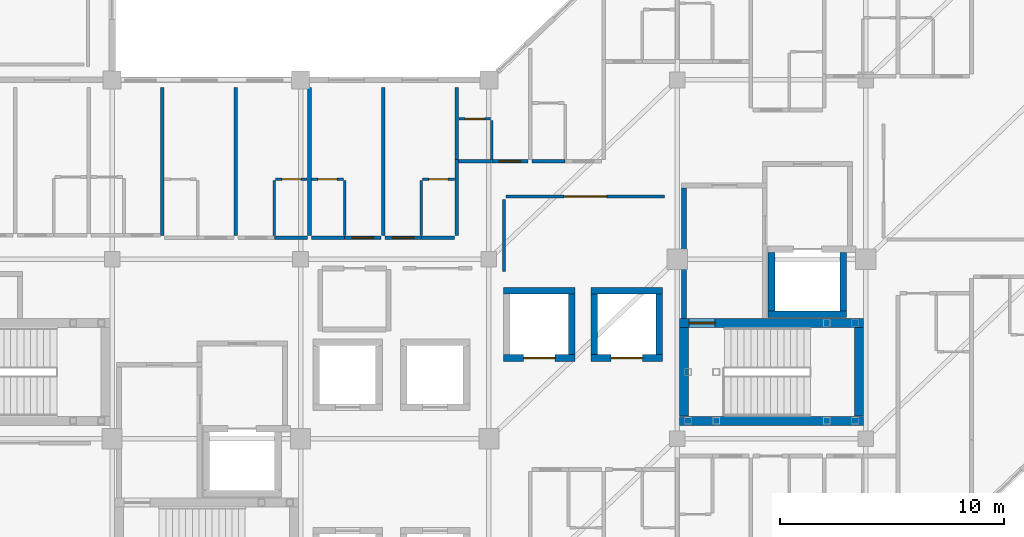
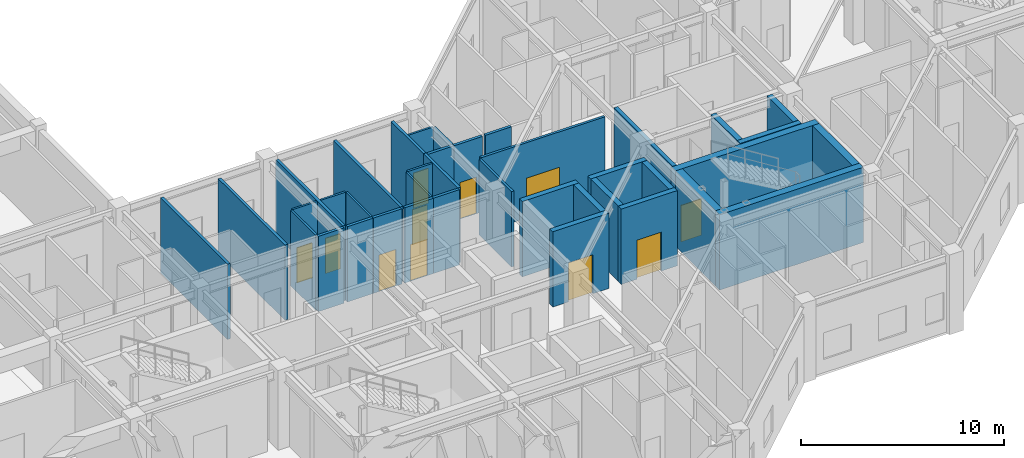
# One storey, part 27 of 37: 39 walls, 11 doors, 11 openings.
"""IFC4 building model written with IfcOpenShell, lengths in metres."""

from ifc_helpers import new_model, si_unit, direction, frame, frame_2d, origin, place, context, subcontext, project, spatial, rectangle, extrude, material, layer, layer_set, type_object, element, fill, save


model = new_model("IFC4")

# Units and contexts
model_context = context("Model", 3, precision=1e-05, world=origin(), true_north=direction((0.0, 1.0)))
body_context = subcontext(model_context, "Body", "Model", "MODEL_VIEW")
ifc_project = project(units=[si_unit("LENGTHUNIT", "METRE"), si_unit("AREAUNIT", "SQUARE_METRE"), si_unit("VOLUMEUNIT", "CUBIC_METRE"), si_unit("PLANEANGLEUNIT", "RADIAN"), si_unit("MASSUNIT", "GRAM", prefix="KILO")], contexts=[model_context])

# Site, building, storey
site_placement = place(None, origin())
site = spatial("IfcSite", under=ifc_project, at=site_placement, CompositionType="ELEMENT")
building_placement = place(site_placement, origin())
building = spatial("IfcBuilding", under=site, at=building_placement, Name="Naruveol Harbour Congress Hotel", CompositionType="ELEMENT")
storey_placement = place(building_placement, frame((0.0, 0.0, 16.199951171875)))
storey = spatial("IfcBuildingStorey", under=building, at=storey_placement, Name="L03", CompositionType="ELEMENT", Elevation=16.199951171875)

# Wall, opening, door
ifc_material_1 = material(Name="Acoustic Double Stud Gypsum", Category="gypsum")
ifc_layer_1 = layer(ifc_material_1, 0.139892578125)
ifc_layer_set_1 = layer_set([ifc_layer_1], Name="Acoustic Double Stud Gypsum")
wall_type_1 = type_object("IfcWallType", Name="ACOUSTIC MEETING PARTITION WALL 140", PredefinedType="PARTITIONING", material=ifc_layer_set_1)
wall_1_placement = place(storey_placement, frame((143.56005859375, 26.800048828125, 0.0), z_axis=(0.0, 0.0, 1.0), x_axis=(1.0, 0.0, 0.0)))
wall_1 = element("IfcWall", 1, at=wall_1_placement, inside=storey, type_object=wall_type_1, Name="Harbour Study Salon north entry wall PW-140", PredefinedType="PARTITIONING", context=body_context, shape_type="SweptSolid", body=[
    extrude(rectangle(XDim=7.079833984375, YDim=0.139892578125, at=frame_2d((3.5400390625, 0.0))), origin(), (0.0, 0.0, 1.0), 4.53515625),
])
opening_1_placement = place(wall_1_placement, frame((2.590087890625, 0.0, 0.0)))
opening_1 = element("IfcOpeningElement", 2, at=opening_1_placement, cuts=wall_1, Name="Opening ID-LG-93", PredefinedType="OPENING", context=body_context, shape_type="SweptSolid", body=[
    extrude(rectangle(XDim=1.89990234375, YDim=2.39990234375, at=frame_2d((0.949951171875, 1.199951171875))), frame((0.0, 0.079833984375, 0.0), z_axis=(0.0, -1.0, 0.0), x_axis=(1.0, 0.0, 0.0)), (0.0, 0.0, 1.0), 0.159912109375),
])
ifc_material_2 = material(Name="Timber & Steel Acoustic Leaf", Category="steel")
door_type_1 = type_object("IfcDoorType", Name="RESTAURANT AND LOUNGE GLAZED DOOR 1900X2400", OperationType="DOUBLE_DOOR_SINGLE_SWING", PredefinedType="DOOR", material=ifc_material_2)
door_1_placement = place(opening_1_placement, origin())
door_1 = element("IfcDoor", 3, at=door_1_placement, inside=storey, type_object=door_type_1, Name="Harbour Study Salon Entrance Door", OperationType="DOUBLE_DOOR_SINGLE_SWING", OverallHeight=2.39990234375, OverallWidth=1.89990234375, PredefinedType="DOOR", context=body_context, shape_type="SweptSolid", body=[
    extrude(rectangle(XDim=1.89990234375, YDim=2.39990234375, at=frame_2d((0.949951171875, 1.199951171875))), frame((0.0, 0.02490234375, 0.0), z_axis=(0.0, -1.0, 0.0), x_axis=(1.0, 0.0, 0.0)), (0.0, 0.0, 1.0), 0.050048828125),
])
fill(opening_1, door_1)

# Walls
wall_2_placement = place(storey_placement, frame((143.47998046875, 23.449951171875, 0.0), z_axis=(0.0, 0.0, 1.0), x_axis=(0.0, 1.0, 0.0)))
element("IfcWall", 4, at=wall_2_placement, inside=storey, type_object=wall_type_1, Name="Harbour Study Salon west partition PW-140", PredefinedType="PARTITIONING", context=body_context, shape_type="SweptSolid", body=[
    extrude(rectangle(XDim=3.2099609375, YDim=0.139892578125, at=frame_2d((1.60498046875, 0.0))), origin(), (0.0, 0.0, 1.0), 4.53515625),
])
ifc_material_3 = material(Name="Moisture-Resistant Gypsum Partition", Category="gypsum")
ifc_layer_2 = layer(ifc_material_3, 0.114990234375)
ifc_layer_set_2 = layer_set([ifc_layer_2], Name="Moisture-Resistant Gypsum Partition")
wall_type_2 = type_object("IfcWallType", Name="BATHROOM MOISTURE PARTITION WALL 115", PredefinedType="PARTITIONING", material=ifc_layer_set_2)
wall_3_placement = place(storey_placement, frame((133.22998046875, 25.06005859375, 0.0), z_axis=(0.0, 0.0, 1.0), x_axis=(0.0, 1.0, 0.0)))
element("IfcWall", 5, at=wall_3_placement, inside=storey, type_object=wall_type_2, Name="Bathroom west wall 0461 PW-115", PredefinedType="PARTITIONING", context=body_context, shape_type="SweptSolid", body=[
    extrude(rectangle(XDim=2.449951171875, YDim=0.114990234375, at=frame_2d((1.22509765625, 0.0))), origin(), (0.0, 0.0, 1.0), 4.53515625),
])

# Wall, opening, door
wall_4_placement = place(storey_placement, frame((133.2900390625, 27.570068359375, 0.0), z_axis=(0.0, 0.0, 1.0), x_axis=(1.0, 0.0, 0.0)))
wall_4 = element("IfcWall", 6, at=wall_4_placement, inside=storey, type_object=wall_type_2, Name="Bathroom north wall 0461 PW-115", PredefinedType="PARTITIONING", context=body_context, shape_type="SweptSolid", body=[
    extrude(rectangle(XDim=1.409912109375, YDim=0.114990234375, at=frame_2d((0.705078125, 0.0))), origin(), (0.0, 0.0, 1.0), 4.53515625),
])
opening_2_placement = place(wall_4_placement, frame((0.27490234375, 0.0, 0.0)))
opening_2 = element("IfcOpeningElement", 7, at=opening_2_placement, cuts=wall_4, Name="Opening BD-RM0461", PredefinedType="OPENING", context=body_context, shape_type="SweptSolid", body=[
    extrude(rectangle(XDim=0.860107421875, YDim=2.1201171875, at=frame_2d((0.43017578125, 1.06005859375))), frame((0.0, 0.0673828125, 0.0), z_axis=(0.0, -1.0, 0.0), x_axis=(1.0, 0.0, 0.0)), (0.0, 0.0, 1.0), 0.135009765625),
])
ifc_material_4 = material(Name="Timber & Steel Acoustic Leaf", Category="steel")
door_type_2 = type_object("IfcDoorType", Name="GUEST BATHROOM DOOR 860X2120", OperationType="NOTDEFINED", PredefinedType="DOOR", material=ifc_material_4)
door_2_placement = place(opening_2_placement, origin())
door_2 = element("IfcDoor", 8, at=door_2_placement, inside=storey, type_object=door_type_2, Name="Bathroom Door 0461", OperationType="SINGLE_SWING_RIGHT", OverallHeight=2.1201171875, OverallWidth=0.860107421875, PredefinedType="DOOR", context=body_context, shape_type="SweptSolid", body=[
    extrude(rectangle(XDim=0.860107421875, YDim=2.1201171875, at=frame_2d((0.43017578125, 1.06005859375))), frame((0.0, 0.02490234375, 0.0), z_axis=(0.0, -1.0, 0.0), x_axis=(1.0, 0.0, 0.0)), (0.0, 0.0, 1.0), 0.050048828125),
])
fill(opening_2, door_2)

# Wall
wall_5_placement = place(storey_placement, frame((136.3701171875, 25.06005859375, 0.0), z_axis=(0.0, 0.0, 1.0), x_axis=(0.0, 1.0, 0.0)))
element("IfcWall", 9, at=wall_5_placement, inside=storey, type_object=wall_type_2, Name="Bathroom east wall 0462 PW-115", PredefinedType="PARTITIONING", context=body_context, shape_type="SweptSolid", body=[
    extrude(rectangle(XDim=2.449951171875, YDim=0.114990234375, at=frame_2d((1.22509765625, 0.0))), origin(), (0.0, 0.0, 1.0), 4.53515625),
])

# Wall, opening, door
wall_6_placement = place(storey_placement, frame((134.89990234375, 27.570068359375, 0.0), z_axis=(0.0, 0.0, 1.0), x_axis=(1.0, 0.0, 0.0)))
wall_6 = element("IfcWall", 10, at=wall_6_placement, inside=storey, type_object=wall_type_2, Name="Bathroom north wall 0462 PW-115", PredefinedType="PARTITIONING", context=body_context, shape_type="SweptSolid", body=[
    extrude(rectangle(XDim=1.41015625, YDim=0.114990234375, at=frame_2d((0.705078125, 0.0))), origin(), (0.0, 0.0, 1.0), 4.53515625),
])
opening_3_placement = place(wall_6_placement, frame((0.27490234375, 0.0, 0.0)))
opening_3 = element("IfcOpeningElement", 11, at=opening_3_placement, cuts=wall_6, Name="Opening BD-RM0462", PredefinedType="OPENING", context=body_context, shape_type="SweptSolid", body=[
    extrude(rectangle(XDim=0.860107421875, YDim=2.1201171875, at=frame_2d((0.43017578125, 1.06005859375))), frame((0.0, 0.0673828125, 0.0), z_axis=(0.0, -1.0, 0.0), x_axis=(1.0, 0.0, 0.0)), (0.0, 0.0, 1.0), 0.135009765625),
])
door_3_placement = place(opening_3_placement, origin())
door_3 = element("IfcDoor", 12, at=door_3_placement, inside=storey, type_object=door_type_2, Name="Bathroom Door 0462", OperationType="SINGLE_SWING_RIGHT", OverallHeight=2.1201171875, OverallWidth=0.860107421875, PredefinedType="DOOR", context=body_context, shape_type="SweptSolid", body=[
    extrude(rectangle(XDim=0.860107421875, YDim=2.1201171875, at=frame_2d((0.43017578125, 1.06005859375))), frame((0.0, 0.02490234375, 0.0), z_axis=(0.0, -1.0, 0.0), x_axis=(1.0, 0.0, 0.0)), (0.0, 0.0, 1.0), 0.050048828125),
])
fill(opening_3, door_3)

# Wall
wall_7_placement = place(storey_placement, frame((139.7900390625, 25.06005859375, 0.0), z_axis=(0.0, 0.0, 1.0), x_axis=(0.0, 1.0, 0.0)))
element("IfcWall", 13, at=wall_7_placement, inside=storey, type_object=wall_type_2, Name="Bathroom west wall 0463 PW-115", PredefinedType="PARTITIONING", context=body_context, shape_type="SweptSolid", body=[
    extrude(rectangle(XDim=2.449951171875, YDim=0.114990234375, at=frame_2d((1.22509765625, 0.0))), origin(), (0.0, 0.0, 1.0), 4.53515625),
])

# Wall, opening, door
wall_8_placement = place(storey_placement, frame((139.85009765625, 27.570068359375, 0.0), z_axis=(0.0, 0.0, 1.0), x_axis=(1.0, 0.0, 0.0)))
wall_8 = element("IfcWall", 14, at=wall_8_placement, inside=storey, type_object=wall_type_2, Name="Bathroom north wall 0463 PW-115", PredefinedType="PARTITIONING", context=body_context, shape_type="SweptSolid", body=[
    extrude(rectangle(XDim=1.409912109375, YDim=0.114990234375, at=frame_2d((0.705078125, 0.0))), origin(), (0.0, 0.0, 1.0), 4.53515625),
])
opening_4_placement = place(wall_8_placement, frame((0.27490234375, 0.0, 0.0)))
opening_4 = element("IfcOpeningElement", 15, at=opening_4_placement, cuts=wall_8, Name="Opening BD-RM0463", PredefinedType="OPENING", context=body_context, shape_type="SweptSolid", body=[
    extrude(rectangle(XDim=0.860107421875, YDim=2.1201171875, at=frame_2d((0.43017578125, 1.06005859375))), frame((0.0, 0.0673828125, 0.0), z_axis=(0.0, -1.0, 0.0), x_axis=(1.0, 0.0, 0.0)), (0.0, 0.0, 1.0), 0.135009765625),
])
door_4_placement = place(opening_4_placement, origin())
door_4 = element("IfcDoor", 16, at=door_4_placement, inside=storey, type_object=door_type_2, Name="Bathroom Door 0463", OperationType="SINGLE_SWING_RIGHT", OverallHeight=2.1201171875, OverallWidth=0.860107421875, PredefinedType="DOOR", context=body_context, shape_type="SweptSolid", body=[
    extrude(rectangle(XDim=0.860107421875, YDim=2.1201171875, at=frame_2d((0.43017578125, 1.06005859375))), frame((0.0, 0.02490234375, 0.0), z_axis=(0.0, -1.0, 0.0), x_axis=(1.0, 0.0, 0.0)), (0.0, 0.0, 1.0), 0.050048828125),
])
fill(opening_4, door_4)

# Wall
wall_9_placement = place(storey_placement, frame((142.929931640625, 28.4599609375, 0.0), z_axis=(0.0, 0.0, 1.0), x_axis=(0.0, 1.0, 0.0)))
element("IfcWall", 17, at=wall_9_placement, inside=storey, type_object=wall_type_2, Name="Bathroom east wall 0464 PW-115", PredefinedType="PARTITIONING", context=body_context, shape_type="SweptSolid", body=[
    extrude(rectangle(XDim=1.739990234375, YDim=0.114990234375, at=frame_2d((0.8701171875, 0.0))), origin(), (0.0, 0.0, 1.0), 4.53515625),
])

# Wall, opening, door
wall_10_placement = place(storey_placement, frame((141.4599609375, 30.260009765625, 0.0), z_axis=(0.0, 0.0, 1.0), x_axis=(1.0, 0.0, 0.0)))
wall_10 = element("IfcWall", 18, at=wall_10_placement, inside=storey, type_object=wall_type_2, Name="Bathroom north wall 0464 PW-115", PredefinedType="PARTITIONING", context=body_context, shape_type="SweptSolid", body=[
    extrude(rectangle(XDim=1.41015625, YDim=0.114990234375, at=frame_2d((0.705078125, 0.0))), origin(), (0.0, 0.0, 1.0), 4.53515625),
])
opening_5_placement = place(wall_10_placement, frame((0.27490234375, 0.0, 0.0)))
opening_5 = element("IfcOpeningElement", 19, at=opening_5_placement, cuts=wall_10, Name="Opening BD-RM0464", PredefinedType="OPENING", context=body_context, shape_type="SweptSolid", body=[
    extrude(rectangle(XDim=0.860107421875, YDim=2.1201171875, at=frame_2d((0.43017578125, 1.06005859375))), frame((0.0, 0.0673828125, 0.0), z_axis=(0.0, -1.0, 0.0), x_axis=(1.0, 0.0, 0.0)), (0.0, 0.0, 1.0), 0.135009765625),
])
door_5_placement = place(opening_5_placement, origin())
door_5 = element("IfcDoor", 20, at=door_5_placement, inside=storey, type_object=door_type_2, Name="Bathroom Door 0464", OperationType="SINGLE_SWING_RIGHT", OverallHeight=2.1201171875, OverallWidth=0.860107421875, PredefinedType="DOOR", context=body_context, shape_type="SweptSolid", body=[
    extrude(rectangle(XDim=0.860107421875, YDim=2.1201171875, at=frame_2d((0.43017578125, 1.06005859375))), frame((0.0, 0.02490234375, 0.0), z_axis=(0.0, -1.0, 0.0), x_axis=(1.0, 0.0, 0.0)), (0.0, 0.0, 1.0), 0.050048828125),
])
fill(opening_5, door_5)

# Walls
ifc_material_5 = material(Name="Concrete C40/50", Category="concrete")
ifc_layer_3 = layer(ifc_material_5, 0.219970703125)
ifc_layer_set_3 = layer_set([ifc_layer_3], Name="Concrete C40/50")
wall_type_3 = type_object("IfcWallType", Name="FIRE COMPARTMENT AND LOBBY WALL 220 EI120", PredefinedType="PARTITIONING", material=ifc_layer_set_3)
wall_11_placement = place(storey_placement, frame((151.5, 21.364990234375, 0.0), z_axis=(0.0, 0.0, 1.0), x_axis=(0.0, 1.0, 0.0)))
element("IfcWall", 21, at=wall_11_placement, inside=storey, type_object=wall_type_3, Name="Smoke vestibule ST2 west wall FW-220", PredefinedType="PARTITIONING", context=body_context, shape_type="SweptSolid", body=[
    extrude(rectangle(XDim=5.820068359375, YDim=0.219970703125, at=frame_2d((2.91015625, 0.0))), origin(), (0.0, 0.0, 1.0), 4.53515625),
])
ifc_material_6 = material(Name="Autoclaved Aerated Concrete Block", Category="concrete")
ifc_layer_4 = layer(ifc_material_6, 0.159912109375)
ifc_layer_set_4 = layer_set([ifc_layer_4], Name="Autoclaved Aerated Concrete Block")
wall_type_4 = type_object("IfcWallType", Name="HOTEL PARTY AND CORRIDOR WALL 160 EI60", PredefinedType="PARTITIONING", material=ifc_layer_set_4)
wall_12_placement = place(storey_placement, frame((128.239990234375, 25.06005859375, 0.0), z_axis=(0.0, 0.0, 1.0), x_axis=(0.0, 1.0, 0.0)))
element("IfcWall", 22, at=wall_12_placement, inside=storey, type_object=wall_type_4, Name="Hotel party wall 0460 PW-160", PredefinedType="PARTITIONING", context=body_context, shape_type="SweptSolid", body=[
    extrude(rectangle(XDim=6.599853515625, YDim=0.159912109375, at=frame_2d((3.2998046875, 0.0))), origin(), (0.0, 0.0, 1.0), 4.53515625),
])
wall_13_placement = place(storey_placement, frame((133.239990234375, 24.969970703125, 0.0), z_axis=(0.0, 0.0, 1.0), x_axis=(1.0, 0.0, 0.0)))
element("IfcWall", 23, at=wall_13_placement, inside=storey, type_object=wall_type_4, Name="Corridor wall 0461B PW-160", PredefinedType="PARTITIONING", context=body_context, shape_type="SweptSolid", body=[
    extrude(rectangle(XDim=1.469970703125, YDim=0.159912109375, at=frame_2d((0.73486328125, 0.0))), origin(), (0.0, 0.0, 1.0), 4.53515625),
])
wall_14_placement = place(storey_placement, frame((131.52001953125, 25.06005859375, 0.0), z_axis=(0.0, 0.0, 1.0), x_axis=(0.0, 1.0, 0.0)))
element("IfcWall", 24, at=wall_14_placement, inside=storey, type_object=wall_type_4, Name="Hotel party wall 0461 PW-160", PredefinedType="PARTITIONING", context=body_context, shape_type="SweptSolid", body=[
    extrude(rectangle(XDim=6.599853515625, YDim=0.159912109375, at=frame_2d((3.2998046875, 0.0))), origin(), (0.0, 0.0, 1.0), 4.53515625),
])
wall_15_placement = place(storey_placement, frame((134.889892578125, 24.969970703125, 0.0), z_axis=(0.0, 0.0, 1.0), x_axis=(1.0, 0.0, 0.0)))
element("IfcWall", 25, at=wall_15_placement, inside=storey, type_object=wall_type_4, Name="Corridor wall 0462B PW-160", PredefinedType="PARTITIONING", context=body_context, shape_type="SweptSolid", body=[
    extrude(rectangle(XDim=1.47021484375, YDim=0.159912109375, at=frame_2d((0.735107421875, 0.0))), origin(), (0.0, 0.0, 1.0), 4.53515625),
])

# Wall, opening, door
wall_16_placement = place(storey_placement, frame((136.3701171875, 24.969970703125, 0.0), z_axis=(0.0, 0.0, 1.0), x_axis=(1.0, 0.0, 0.0)))
wall_16 = element("IfcWall", 26, at=wall_16_placement, inside=storey, type_object=wall_type_4, Name="Corridor entry wall 0462 PW-160", PredefinedType="PARTITIONING", context=body_context, shape_type="SweptSolid", body=[
    extrude(rectangle(XDim=1.619873046875, YDim=0.159912109375, at=frame_2d((0.81005859375, 0.0))), origin(), (0.0, 0.0, 1.0), 4.53515625),
])
opening_6_placement = place(wall_16_placement, frame((0.330078125, 0.0, 0.0)))
opening_6 = element("IfcOpeningElement", 27, at=opening_6_placement, cuts=wall_16, Name="Opening FD-RM0462", PredefinedType="OPENING", context=body_context, shape_type="SweptSolid", body=[
    extrude(rectangle(XDim=0.9599609375, YDim=2.199951171875, at=frame_2d((0.47998046875, 1.10009765625))), frame((0.0, 0.08984375, 0.0), z_axis=(0.0, -1.0, 0.0), x_axis=(1.0, 0.0, 0.0)), (0.0, 0.0, 1.0), 0.179931640625),
])
ifc_material_7 = material(Name="Timber & Steel Acoustic Leaf", Category="steel")
door_type_3 = type_object("IfcDoorType", Name="GUEST ROOM ENTRANCE FIRE DOOR 960X2200", OperationType="NOTDEFINED", PredefinedType="DOOR", material=ifc_material_7)
door_6_placement = place(opening_6_placement, origin())
door_6 = element("IfcDoor", 28, at=door_6_placement, inside=storey, type_object=door_type_3, Name="Hotel Room Door 0462", OperationType="SINGLE_SWING_LEFT", OverallHeight=2.199951171875, OverallWidth=0.9599609375, PredefinedType="DOOR", context=body_context, shape_type="SweptSolid", body=[
    extrude(rectangle(XDim=0.9599609375, YDim=2.199951171875, at=frame_2d((0.47998046875, 1.10009765625))), frame((0.0, 0.02490234375, 0.0), z_axis=(0.0, -1.0, 0.0), x_axis=(1.0, 0.0, 0.0)), (0.0, 0.0, 1.0), 0.050048828125),
])
fill(opening_6, door_6)

# Wall
wall_17_placement = place(storey_placement, frame((134.800048828125, 25.06005859375, 0.0), z_axis=(0.0, 0.0, 1.0), x_axis=(0.0, 1.0, 0.0)))
element("IfcWall", 29, at=wall_17_placement, inside=storey, type_object=wall_type_4, Name="Hotel party wall 0462 PW-160", PredefinedType="PARTITIONING", context=body_context, shape_type="SweptSolid", body=[
    extrude(rectangle(XDim=6.599853515625, YDim=0.159912109375, at=frame_2d((3.2998046875, 0.0))), origin(), (0.0, 0.0, 1.0), 4.53515625),
])

# Wall, opening, door
wall_18_placement = place(storey_placement, frame((138.169921875, 24.969970703125, 0.0), z_axis=(0.0, 0.0, 1.0), x_axis=(1.0, 0.0, 0.0)))
wall_18 = element("IfcWall", 30, at=wall_18_placement, inside=storey, type_object=wall_type_4, Name="Corridor entry wall 0463 PW-160", PredefinedType="PARTITIONING", context=body_context, shape_type="SweptSolid", body=[
    extrude(rectangle(XDim=1.6201171875, YDim=0.159912109375, at=frame_2d((0.81005859375, 0.0))), origin(), (0.0, 0.0, 1.0), 4.53515625),
])
opening_7_placement = place(wall_18_placement, frame((0.330078125, 0.0, 0.0)))
opening_7 = element("IfcOpeningElement", 31, at=opening_7_placement, cuts=wall_18, Name="Opening FD-RM0463", PredefinedType="OPENING", context=body_context, shape_type="SweptSolid", body=[
    extrude(rectangle(XDim=0.9599609375, YDim=2.199951171875, at=frame_2d((0.47998046875, 1.10009765625))), frame((0.0, 0.08984375, 0.0), z_axis=(0.0, -1.0, 0.0), x_axis=(1.0, 0.0, 0.0)), (0.0, 0.0, 1.0), 0.179931640625),
])
door_7_placement = place(opening_7_placement, origin())
door_7 = element("IfcDoor", 32, at=door_7_placement, inside=storey, type_object=door_type_3, Name="Hotel Room Door 0463", OperationType="SINGLE_SWING_LEFT", OverallHeight=2.199951171875, OverallWidth=0.9599609375, PredefinedType="DOOR", context=body_context, shape_type="SweptSolid", body=[
    extrude(rectangle(XDim=0.9599609375, YDim=2.199951171875, at=frame_2d((0.47998046875, 1.10009765625))), frame((0.0, 0.02490234375, 0.0), z_axis=(0.0, -1.0, 0.0), x_axis=(1.0, 0.0, 0.0)), (0.0, 0.0, 1.0), 0.050048828125),
])
fill(opening_7, door_7)

# Walls
wall_19_placement = place(storey_placement, frame((139.800048828125, 24.969970703125, 0.0), z_axis=(0.0, 0.0, 1.0), x_axis=(1.0, 0.0, 0.0)))
element("IfcWall", 33, at=wall_19_placement, inside=storey, type_object=wall_type_4, Name="Corridor wall 0463B PW-160", PredefinedType="PARTITIONING", context=body_context, shape_type="SweptSolid", body=[
    extrude(rectangle(XDim=1.469970703125, YDim=0.159912109375, at=frame_2d((0.73486328125, 0.0))), origin(), (0.0, 0.0, 1.0), 4.53515625),
])
wall_20_placement = place(storey_placement, frame((138.080078125, 25.06005859375, 0.0), z_axis=(0.0, 0.0, 1.0), x_axis=(0.0, 1.0, 0.0)))
element("IfcWall", 34, at=wall_20_placement, inside=storey, type_object=wall_type_4, Name="Hotel party wall 0463 PW-160", PredefinedType="PARTITIONING", context=body_context, shape_type="SweptSolid", body=[
    extrude(rectangle(XDim=6.599853515625, YDim=0.159912109375, at=frame_2d((3.2998046875, 0.0))), origin(), (0.0, 0.0, 1.0), 4.53515625),
])
wall_21_placement = place(storey_placement, frame((141.360107421875, 25.06005859375, 0.0), z_axis=(0.0, 0.0, 1.0), x_axis=(0.0, 1.0, 0.0)))
element("IfcWall", 35, at=wall_21_placement, inside=storey, type_object=wall_type_4, Name="Hotel end party wall 0463 PW-160", PredefinedType="PARTITIONING", context=body_context, shape_type="SweptSolid", body=[
    extrude(rectangle(XDim=3.389892578125, YDim=0.159912109375, at=frame_2d((1.69482421875, 0.0))), origin(), (0.0, 0.0, 1.0), 4.53515625),
])
wall_22_placement = place(storey_placement, frame((141.449951171875, 28.3701171875, 0.0), z_axis=(0.0, 0.0, 1.0), x_axis=(1.0, 0.0, 0.0)))
element("IfcWall", 36, at=wall_22_placement, inside=storey, type_object=wall_type_4, Name="Corridor wall 0464B PW-160", PredefinedType="PARTITIONING", context=body_context, shape_type="SweptSolid", body=[
    extrude(rectangle(XDim=1.469970703125, YDim=0.159912109375, at=frame_2d((0.73486328125, 0.0))), origin(), (0.0, 0.0, 1.0), 4.53515625),
])

# Wall, opening, door
wall_23_placement = place(storey_placement, frame((142.929931640625, 28.3701171875, 0.0), z_axis=(0.0, 0.0, 1.0), x_axis=(1.0, 0.0, 0.0)))
wall_23 = element("IfcWall", 37, at=wall_23_placement, inside=storey, type_object=wall_type_4, Name="Corridor entry wall 0464 PW-160", PredefinedType="PARTITIONING", context=body_context, shape_type="SweptSolid", body=[
    extrude(rectangle(XDim=1.6201171875, YDim=0.159912109375, at=frame_2d((0.81005859375, 0.0))), origin(), (0.0, 0.0, 1.0), 4.53515625),
])
opening_8_placement = place(wall_23_placement, frame((0.330078125, 0.0, 0.0)))
opening_8 = element("IfcOpeningElement", 38, at=opening_8_placement, cuts=wall_23, Name="Opening FD-RM0464", PredefinedType="OPENING", context=body_context, shape_type="SweptSolid", body=[
    extrude(rectangle(XDim=0.9599609375, YDim=2.199951171875, at=frame_2d((0.47998046875, 1.10009765625))), frame((0.0, 0.08984375, 0.0), z_axis=(0.0, -1.0, 0.0), x_axis=(1.0, 0.0, 0.0)), (0.0, 0.0, 1.0), 0.179931640625),
])
door_8_placement = place(opening_8_placement, origin())
door_8 = element("IfcDoor", 39, at=door_8_placement, inside=storey, type_object=door_type_3, Name="Hotel Room Door 0464", OperationType="SINGLE_SWING_LEFT", OverallHeight=2.199951171875, OverallWidth=0.9599609375, PredefinedType="DOOR", context=body_context, shape_type="SweptSolid", body=[
    extrude(rectangle(XDim=0.9599609375, YDim=2.199951171875, at=frame_2d((0.47998046875, 1.10009765625))), frame((0.0, 0.02490234375, 0.0), z_axis=(0.0, -1.0, 0.0), x_axis=(1.0, 0.0, 0.0)), (0.0, 0.0, 1.0), 0.050048828125),
])
fill(opening_8, door_8)

# Walls
wall_24_placement = place(storey_placement, frame((141.360107421875, 28.4599609375, 0.0), z_axis=(0.0, 0.0, 1.0), x_axis=(0.0, 1.0, 0.0)))
element("IfcWall", 40, at=wall_24_placement, inside=storey, type_object=wall_type_4, Name="Hotel party wall 0464 PW-160", PredefinedType="PARTITIONING", context=body_context, shape_type="SweptSolid", body=[
    extrude(rectangle(XDim=3.199951171875, YDim=0.159912109375, at=frame_2d((1.60009765625, 0.0))), origin(), (0.0, 0.0, 1.0), 4.53515625),
])
wall_25_placement = place(storey_placement, frame((144.72998046875, 28.3701171875, 0.0), z_axis=(0.0, 0.0, 1.0), x_axis=(1.0, 0.0, 0.0)))
element("IfcWall", 41, at=wall_25_placement, inside=storey, type_object=wall_type_4, Name="Corridor wall 0465B PW-160", PredefinedType="PARTITIONING", context=body_context, shape_type="SweptSolid", body=[
    extrude(rectangle(XDim=1.469970703125, YDim=0.159912109375, at=frame_2d((0.73486328125, 0.0))), origin(), (0.0, 0.0, 1.0), 4.53515625),
])
ifc_material_8 = material(Name="Concrete C50/60", Category="concrete")
ifc_layer_5 = layer(ifc_material_8, 0.39990234375)
ifc_layer_set_5 = layer_set([ifc_layer_5], Name="Concrete C50/60")
wall_type_5 = type_object("IfcWallType", Name="RC CORE SHEAR WALL 400 EI120", PredefinedType="SHEAR", material=ifc_layer_set_5)
wall_26_placement = place(storey_placement, frame((151.300048828125, 16.800048828125, 0.0), z_axis=(0.0, 0.0, 1.0), x_axis=(1.0, 0.0, 0.0)))
element("IfcWall", 42, at=wall_26_placement, inside=storey, type_object=wall_type_5, Name="Stair ST2 south core wall CW-400", PredefinedType="SHEAR", context=body_context, shape_type="SweptSolid", body=[
    extrude(rectangle(XDim=8.199951171875, YDim=0.39990234375, at=frame_2d((4.10009765625, 0.0))), origin(), (0.0, 0.0, 1.0), 4.53515625),
])
wall_27_placement = place(storey_placement, frame((159.300048828125, 17.0048828125, 0.0), z_axis=(0.0, 0.0, 1.0), x_axis=(0.0, 1.0, 0.0)))
element("IfcWall", 43, at=wall_27_placement, inside=storey, type_object=wall_type_5, Name="Stair ST2 east core wall CW-400", PredefinedType="SHEAR", context=body_context, shape_type="SweptSolid", body=[
    extrude(rectangle(XDim=3.9501953125, YDim=0.39990234375, at=frame_2d((1.97509765625, 0.0))), origin(), (0.0, 0.0, 1.0), 4.53515625),
])

# Wall, opening, door
wall_28_placement = place(storey_placement, frame((151.300048828125, 21.159912109375, 0.0), z_axis=(0.0, 0.0, 1.0), x_axis=(1.0, 0.0, 0.0)))
wall_28 = element("IfcWall", 44, at=wall_28_placement, inside=storey, type_object=wall_type_5, Name="Stair ST2 north core wall CW-400", PredefinedType="SHEAR", context=body_context, shape_type="SweptSolid", body=[
    extrude(rectangle(XDim=8.199951171875, YDim=0.39990234375, at=frame_2d((4.10009765625, 0.0))), origin(), (0.0, 0.0, 1.0), 4.53515625),
])
opening_9_placement = place(wall_28_placement, frame((0.429931640625, 0.0, 0.0)))
opening_9 = element("IfcOpeningElement", 45, at=opening_9_placement, cuts=wall_28, Name="Opening FD-ST2-S-L03", PredefinedType="OPENING", context=body_context, shape_type="SweptSolid", body=[
    extrude(rectangle(XDim=1.159912109375, YDim=2.199951171875, at=frame_2d((0.580078125, 1.10009765625))), frame((0.0, 0.2099609375, 0.0), z_axis=(0.0, -1.0, 0.0), x_axis=(1.0, 0.0, 0.0)), (0.0, 0.0, 1.0), 0.419921875),
])
ifc_material_9 = material(Name="Timber & Steel Acoustic Leaf", Category="steel")
door_type_4 = type_object("IfcDoorType", Name="SPECIAL ESCAPE STAIR FIRE DOOR 1160X2200", OperationType="NOTDEFINED", PredefinedType="DOOR", material=ifc_material_9)
door_9_placement = place(opening_9_placement, origin())
door_9 = element("IfcDoor", 46, at=door_9_placement, inside=storey, type_object=door_type_4, Name="Special Escape Stair Door ST2 L03", OperationType="SINGLE_SWING_RIGHT", OverallHeight=2.199951171875, OverallWidth=1.159912109375, PredefinedType="DOOR", context=body_context, shape_type="SweptSolid", body=[
    extrude(rectangle(XDim=1.159912109375, YDim=2.199951171875, at=frame_2d((0.580078125, 1.10009765625))), frame((0.0, 0.02490234375, 0.0), z_axis=(0.0, -1.0, 0.0), x_axis=(1.0, 0.0, 0.0)), (0.0, 0.0, 1.0), 0.050048828125),
])
fill(opening_9, door_9)

# Walls
wall_29_placement = place(storey_placement, frame((151.5, 17.0048828125, 0.0), z_axis=(0.0, 0.0, 1.0), x_axis=(0.0, 1.0, 0.0)))
element("IfcWall", 47, at=wall_29_placement, inside=storey, type_object=wall_type_5, Name="Stair ST2 west core wall CW-400", PredefinedType="SHEAR", context=body_context, shape_type="SweptSolid", body=[
    extrude(rectangle(XDim=3.9501953125, YDim=0.39990234375, at=frame_2d((1.97509765625, 0.0))), origin(), (0.0, 0.0, 1.0), 4.53515625),
])
ifc_material_10 = material(Name="Concrete C50/60", Category="concrete")
ifc_layer_6 = layer(ifc_material_10, 0.300048828125)
ifc_layer_set_6 = layer_set([ifc_layer_6], Name="Concrete C50/60")
wall_type_6 = type_object("IfcWallType", Name="RC STAIR AND HOISTWAY SHEAR WALL 300 EI120", PredefinedType="SHEAR", material=ifc_layer_set_6)
wall_30_placement = place(storey_placement, frame((155.25, 21.550048828125, 0.0), z_axis=(0.0, 0.0, 1.0), x_axis=(1.0, 0.0, 0.0)))
element("IfcWall", 48, at=wall_30_placement, inside=storey, type_object=wall_type_6, Name="Hoistway south shear wall FL2 SW-300", PredefinedType="SHEAR", context=body_context, shape_type="SweptSolid", body=[
    extrude(rectangle(XDim=3.5, YDim=0.300048828125, at=frame_2d((1.75, 0.0))), origin(), (0.0, 0.0, 1.0), 4.53515625),
])
for number, where, z_axis, x_axis, name in (
    (49, (158.60009765625, 21.705078125, 0.0), (0.0, 0.0, 1.0), (0.0, 1.0, 0.0), "Hoistway east shear wall FL2 SW-300"),
    (50, (155.39990234375, 24.294921875, 0.0), (0.0, 0.0, 1.0), (0.0, -1.0, 0.0), "Hoistway west shear wall FL2 SW-300"),
):
    element("IfcWall", number, at=place(storey_placement, frame(where, z_axis=z_axis, x_axis=x_axis)), inside=storey, type_object=wall_type_6, Name=name, PredefinedType="SHEAR", context=body_context, shape_type="SweptSolid", body=[
        extrude(rectangle(XDim=2.58984375, YDim=0.300048828125, at=frame_2d((1.294921875, 0.0))), origin(), (0.0, 0.0, 1.0), 4.53515625),
    ])

# Wall, opening, door
wall_31_placement = place(storey_placement, frame((143.449951171875, 19.60009765625, 0.0), z_axis=(0.0, 0.0, 1.0), x_axis=(1.0, 0.0, 0.0)))
wall_31 = element("IfcWall", 51, at=wall_31_placement, inside=storey, type_object=wall_type_6, Name="Hoistway south shear wall GL1 SW-300", PredefinedType="SHEAR", context=body_context, shape_type="SweptSolid", body=[
    extrude(rectangle(XDim=3.199951171875, YDim=0.300048828125, at=frame_2d((1.60009765625, 0.0))), origin(), (0.0, 0.0, 1.0), 4.53515625),
])
opening_10_placement = place(wall_31_placement, frame((0.89990234375, 0.0, 0.0)))
opening_10 = element("IfcOpeningElement", 52, at=opening_10_placement, cuts=wall_31, Name="Opening LD-GL1-L03", PredefinedType="OPENING", context=body_context, shape_type="SweptSolid", body=[
    extrude(rectangle(XDim=1.39990234375, YDim=2.35009765625, at=frame_2d((0.699951171875, 1.175048828125))), frame((0.0, 0.159912109375, 0.0), z_axis=(0.0, -1.0, 0.0), x_axis=(1.0, 0.0, 0.0)), (0.0, 0.0, 1.0), 0.320068359375),
])
ifc_material_11 = material(Name="Stainless Steel Lift Door", Category="steel")
door_type_5 = type_object("IfcDoorType", Name="GOODS LIFT LANDING DOOR 1400X2350", OperationType="DOUBLE_DOOR_SLIDING", PredefinedType="DOOR", material=ifc_material_11)
door_10_placement = place(opening_10_placement, origin())
door_10 = element("IfcDoor", 53, at=door_10_placement, inside=storey, type_object=door_type_5, Name="Elevator Landing Door GL1 L03", OperationType="DOUBLE_DOOR_SLIDING", OverallHeight=2.35009765625, OverallWidth=1.39990234375, PredefinedType="DOOR", context=body_context, shape_type="SweptSolid", body=[
    extrude(rectangle(XDim=1.39990234375, YDim=2.35009765625, at=frame_2d((0.699951171875, 1.175048828125))), frame((0.0, 0.02490234375, 0.0), z_axis=(0.0, -1.0, 0.0), x_axis=(1.0, 0.0, 0.0)), (0.0, 0.0, 1.0), 0.050048828125),
])
fill(opening_10, door_10)

# Walls
wall_32_placement = place(storey_placement, frame((146.5, 19.7548828125, 0.0), z_axis=(0.0, 0.0, 1.0), x_axis=(0.0, 1.0, 0.0)))
element("IfcWall", 54, at=wall_32_placement, inside=storey, type_object=wall_type_6, Name="Hoistway east shear wall GL1 SW-300", PredefinedType="SHEAR", context=body_context, shape_type="SweptSolid", body=[
    extrude(rectangle(XDim=2.690185546875, YDim=0.300048828125, at=frame_2d((1.34521484375, 0.0))), origin(), (0.0, 0.0, 1.0), 4.53515625),
])
wall_33_placement = place(storey_placement, frame((146.64990234375, 22.60009765625, 0.0), z_axis=(0.0, 0.0, 1.0), x_axis=(-1.0, 0.0, 0.0)))
element("IfcWall", 55, at=wall_33_placement, inside=storey, type_object=wall_type_6, Name="Hoistway north shear wall GL1 SW-300", PredefinedType="SHEAR", context=body_context, shape_type="SweptSolid", body=[
    extrude(rectangle(XDim=3.199951171875, YDim=0.300048828125, at=frame_2d((1.60009765625, 0.0))), origin(), (0.0, 0.0, 1.0), 4.53515625),
])

# Wall, opening, door
wall_34_placement = place(storey_placement, frame((147.35009765625, 19.60009765625, 0.0), z_axis=(0.0, 0.0, 1.0), x_axis=(1.0, 0.0, 0.0)))
wall_34 = element("IfcWall", 56, at=wall_34_placement, inside=storey, type_object=wall_type_6, Name="Hoistway south shear wall GL2 SW-300", PredefinedType="SHEAR", context=body_context, shape_type="SweptSolid", body=[
    extrude(rectangle(XDim=3.199951171875, YDim=0.300048828125, at=frame_2d((1.60009765625, 0.0))), origin(), (0.0, 0.0, 1.0), 4.53515625),
])
opening_11_placement = place(wall_34_placement, frame((0.89990234375, 0.0, 0.0)))
opening_11 = element("IfcOpeningElement", 57, at=opening_11_placement, cuts=wall_34, Name="Opening LD-GL2-L03", PredefinedType="OPENING", context=body_context, shape_type="SweptSolid", body=[
    extrude(rectangle(XDim=1.39990234375, YDim=2.35009765625, at=frame_2d((0.699951171875, 1.175048828125))), frame((0.0, 0.159912109375, 0.0), z_axis=(0.0, -1.0, 0.0), x_axis=(1.0, 0.0, 0.0)), (0.0, 0.0, 1.0), 0.320068359375),
])
door_11_placement = place(opening_11_placement, origin())
door_11 = element("IfcDoor", 58, at=door_11_placement, inside=storey, type_object=door_type_5, Name="Elevator Landing Door GL2 L03", OperationType="DOUBLE_DOOR_SLIDING", OverallHeight=2.35009765625, OverallWidth=1.39990234375, PredefinedType="DOOR", context=body_context, shape_type="SweptSolid", body=[
    extrude(rectangle(XDim=1.39990234375, YDim=2.35009765625, at=frame_2d((0.699951171875, 1.175048828125))), frame((0.0, 0.02490234375, 0.0), z_axis=(0.0, -1.0, 0.0), x_axis=(1.0, 0.0, 0.0)), (0.0, 0.0, 1.0), 0.050048828125),
])
fill(opening_11, door_11)

# Walls
wall_35_placement = place(storey_placement, frame((150.39990234375, 19.7548828125, 0.0), z_axis=(0.0, 0.0, 1.0), x_axis=(0.0, 1.0, 0.0)))
element("IfcWall", 59, at=wall_35_placement, inside=storey, type_object=wall_type_6, Name="Hoistway east shear wall GL2 SW-300", PredefinedType="SHEAR", context=body_context, shape_type="SweptSolid", body=[
    extrude(rectangle(XDim=2.690185546875, YDim=0.300048828125, at=frame_2d((1.34521484375, 0.0))), origin(), (0.0, 0.0, 1.0), 4.53515625),
])
wall_36_placement = place(storey_placement, frame((150.550048828125, 22.60009765625, 0.0), z_axis=(0.0, 0.0, 1.0), x_axis=(-1.0, 0.0, 0.0)))
element("IfcWall", 60, at=wall_36_placement, inside=storey, type_object=wall_type_6, Name="Hoistway north shear wall GL2 SW-300", PredefinedType="SHEAR", context=body_context, shape_type="SweptSolid", body=[
    extrude(rectangle(XDim=3.199951171875, YDim=0.300048828125, at=frame_2d((1.60009765625, 0.0))), origin(), (0.0, 0.0, 1.0), 4.53515625),
])
wall_37_placement = place(storey_placement, frame((147.5, 22.445068359375, 0.0), z_axis=(0.0, 0.0, 1.0), x_axis=(0.0, -1.0, 0.0)))
element("IfcWall", 61, at=wall_37_placement, inside=storey, type_object=wall_type_6, Name="Hoistway west shear wall GL2 SW-300", PredefinedType="SHEAR", context=body_context, shape_type="SweptSolid", body=[
    extrude(rectangle(XDim=2.690185546875, YDim=0.300048828125, at=frame_2d((1.34521484375, 0.0))), origin(), (0.0, 0.0, 1.0), 4.53515625),
])

save(model, "model.ifc")
